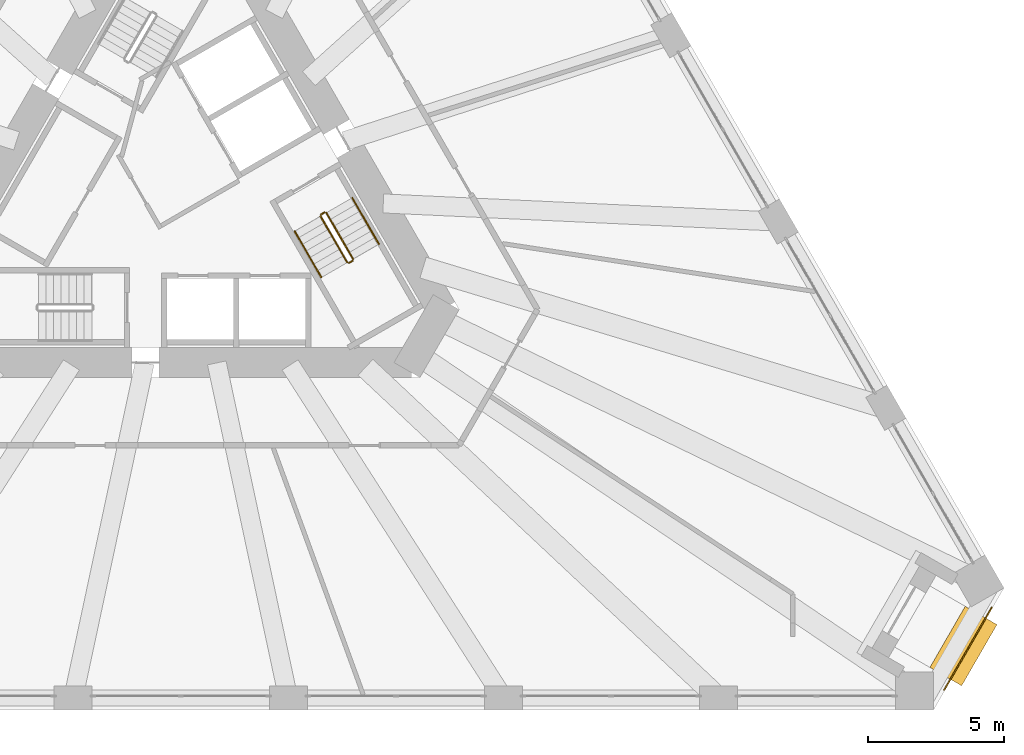
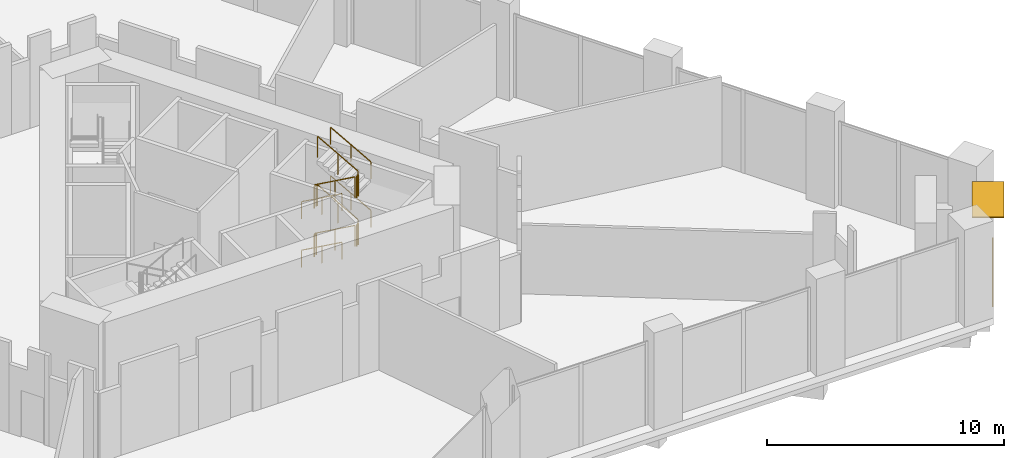
# One storey, part 19 of 20: 13 railings, 1 shading device.
"""IFC4 building model written with IfcOpenShell, lengths in metres."""

from ifc_helpers import new_model, si_unit, direction, frame, origin, origin_2d, place, context, subcontext, project, spatial, rectangle, circle, extrude, material, layer, layer_set, type_object, element, save


model = new_model("IFC4")

# Units and contexts
model_context = context("Model", 3, precision=1e-05, world=origin(), true_north=direction((0.0, 1.0)))
body_context = subcontext(model_context, "Body", "Model", "MODEL_VIEW")
ifc_project = project(units=[si_unit("LENGTHUNIT", "METRE"), si_unit("AREAUNIT", "SQUARE_METRE"), si_unit("VOLUMEUNIT", "CUBIC_METRE"), si_unit("PLANEANGLEUNIT", "RADIAN"), si_unit("MASSUNIT", "GRAM", prefix="KILO")], contexts=[model_context])

# Site, building, storey
site_placement = place(None, origin())
site = spatial("IfcSite", under=ifc_project, at=site_placement, CompositionType="ELEMENT")
building_placement = place(site_placement, origin())
building = spatial("IfcBuilding", under=site, at=building_placement, Name="Tramontana Tower", CompositionType="ELEMENT")
storey_placement = place(building_placement, frame((0.0, 0.0, 10.0)))
storey = spatial("IfcBuildingStorey", under=building, at=storey_placement, Name="L01", CompositionType="ELEMENT", Elevation=10.0)

# Railing
ifc_material_1 = material(Name="Laminated glass balustrade", Category="glass")
railing_type_1 = type_object("IfcRailingType", Name="GD1 Loggia glass balustrade 1100", PredefinedType="BALUSTRADE", material=ifc_material_1)
railing_1_placement = place(storey_placement, frame((29.86083984375, -15.219482421875, 0.0)))
element("IfcRailing", 1, at=railing_1_placement, inside=storey, type_object=railing_type_1, Name="Corner loggia balustrade L01 K02", PredefinedType="BALUSTRADE", context=body_context, shape_type="SweptSolid", body=[
    extrude(circle(Radius=0.02392578125, at=origin_2d()), frame((0.0, 0.0, 1.076171875), z_axis=(-0.500010275428, -0.866019471182, 0.0), x_axis=(0.866019471182, -0.500010275428, 0.0)), (0.0, 0.0, 1.0), 3.5),
    extrude(circle(Radius=0.02099609375, at=origin_2d()), origin(), (0.0, 0.0, 1.0), 1.052001953125),
    extrude(circle(Radius=0.02099609375, at=origin_2d()), frame((-0.583251953125, -1.01025390625, 0.0)), (0.0, 0.0, 1.0), 1.052001953125),
    extrude(circle(Radius=0.02099609375, at=origin_2d()), frame((-1.166748046875, -2.020751953125, 0.0)), (0.0, 0.0, 1.0), 1.052001953125),
    extrude(circle(Radius=0.02099609375, at=origin_2d()), frame((-1.75, -3.031005859375, 0.0)), (0.0, 0.0, 1.0), 1.052001953125),
])

# Shading device
ifc_material_2 = material(Name="Precast concrete 60 MPa", Category="concrete")
ifc_layer = layer(ifc_material_2, 0.070068359375)
ifc_layer_set = layer_set([ifc_layer], Name="SS2 Stone sunshade blade 70")
shading_device_type = type_object("IfcShadingDeviceType", Name="SS2 Stone sunshade blade 70", PredefinedType="USERDEFINED", material=ifc_layer_set)
shading_device_placement = place(storey_placement, frame((28.81689453125, -16.637451171875, 4.22998046875), z_axis=(0.0, 0.0, 1.0), x_axis=(-0.5, -0.866025403784, 0.0)))
element("IfcShadingDevice", 2, at=shading_device_placement, inside=storey, type_object=shading_device_type, Name="Corner sunshade L01 K02", ObjectType="SUNSHADE", PredefinedType="USERDEFINED", context=body_context, shape_type="SweptSolid", body=[
    extrude(rectangle(XDim=2.60009765625, YDim=1.35009765625, at=origin_2d()), origin(), (0.0, 0.0, 1.0), 0.070068359375),
])

# Railings
ifc_material_3 = material(Name="Painted steel", Category="steel")
railing_type_2 = type_object("IfcRailingType", Name="STAIR GUARD 1100", PredefinedType="GUARDRAIL", material=ifc_material_3)
railing_2_placement = place(storey_placement, frame((5.1474609375, -0.815673828125, 0.15625)))
element("IfcRailing", 3, at=railing_2_placement, inside=storey, type_object=railing_type_2, Name="L01 ST3 stair guard 1", PredefinedType="GUARDRAIL", context=body_context, shape_type="SweptSolid", body=[
    extrude(circle(Radius=0.02392578125, at=origin_2d()), frame((0.0, 0.0, 1.076171875), z_axis=(0.436632306331, -0.756220177781, 0.487322554151), x_axis=(0.866011328839, 0.500024377727, 0.0)), (0.0, 0.0, 1.0), 2.244384765625),
    extrude(circle(Radius=0.02099609375, at=origin_2d()), origin(), (0.0, 0.0, 1.0), 1.052001953125),
    extrude(circle(Radius=0.02099609375, at=origin_2d()), frame((0.489990234375, -0.8486328125, 0.546875)), (0.0, 0.0, 1.0), 1.052001953125),
    extrude(circle(Radius=0.02099609375, at=origin_2d()), frame((0.97998046875, -1.697265625, 1.09375)), (0.0, 0.0, 1.0), 1.052001953125),
])
railing_3_placement = place(storey_placement, frame((6.343994140625, -2.387939453125, 1.40625)))
element("IfcRailing", 4, at=railing_3_placement, inside=storey, type_object=railing_type_2, Name="L01 ST3 stair guard 2", PredefinedType="GUARDRAIL", context=body_context, shape_type="SweptSolid", body=[
    extrude(circle(Radius=0.02392578125, at=origin_2d()), frame((0.0, 0.0, 1.076171875), z_axis=(-0.436632306331, 0.756220177781, 0.487322554151), x_axis=(-0.866011328839, -0.500024377727, 0.0)), (0.0, 0.0, 1.0), 2.244384765625),
    extrude(circle(Radius=0.02099609375, at=origin_2d()), origin(), (0.0, 0.0, 1.0), 1.052001953125),
    extrude(circle(Radius=0.02099609375, at=origin_2d()), frame((-0.489990234375, 0.8486328125, 0.546875)), (0.0, 0.0, 1.0), 1.052001953125),
    extrude(circle(Radius=0.02099609375, at=origin_2d()), frame((-0.97998046875, 1.697265625, 1.09375)), (0.0, 0.0, 1.0), 1.052001953125),
])
railing_4_placement = place(storey_placement, frame((5.1474609375, -0.815673828125, 2.65625)))
element("IfcRailing", 5, at=railing_4_placement, inside=storey, type_object=railing_type_2, Name="L01 ST3 stair guard 3", PredefinedType="GUARDRAIL", context=body_context, shape_type="SweptSolid", body=[
    extrude(circle(Radius=0.02392578125, at=origin_2d()), frame((0.0, 0.0, 1.076171875), z_axis=(0.436632306331, -0.756220177781, 0.487322554151), x_axis=(0.866011328839, 0.500024377727, 0.0)), (0.0, 0.0, 1.0), 2.244384765625),
    extrude(circle(Radius=0.02099609375, at=origin_2d()), origin(), (0.0, 0.0, 1.0), 1.052001953125),
    extrude(circle(Radius=0.02099609375, at=origin_2d()), frame((0.489990234375, -0.8486328125, 0.546875)), (0.0, 0.0, 1.0), 1.052001953125),
    extrude(circle(Radius=0.02099609375, at=origin_2d()), frame((0.97998046875, -1.697265625, 1.09375)), (0.0, 0.0, 1.0), 1.052001953125),
])
railing_5_placement = place(storey_placement, frame((6.343994140625, -2.387939453125, 3.90625)))
element("IfcRailing", 6, at=railing_5_placement, inside=storey, type_object=railing_type_2, Name="L01 ST3 stair guard 4", PredefinedType="GUARDRAIL", context=body_context, shape_type="SweptSolid", body=[
    extrude(circle(Radius=0.02392578125, at=origin_2d()), frame((0.0, 0.0, 1.076171875), z_axis=(-0.436632306331, 0.756220177781, 0.487322554151), x_axis=(-0.866011328839, -0.500024377727, 0.0)), (0.0, 0.0, 1.0), 2.244384765625),
    extrude(circle(Radius=0.02099609375, at=origin_2d()), origin(), (0.0, 0.0, 1.0), 1.052001953125),
    extrude(circle(Radius=0.02099609375, at=origin_2d()), frame((-0.489990234375, 0.8486328125, 0.546875)), (0.0, 0.0, 1.0), 1.052001953125),
    extrude(circle(Radius=0.02099609375, at=origin_2d()), frame((-0.97998046875, 1.697265625, 1.09375)), (0.0, 0.0, 1.0), 1.052001953125),
])
for number, where, name in (
    (7, (6.19580078125, -2.53125, 1.25), "L01 ST3 stair guard 5"),
    (8, (5.165771484375, -0.747314453125, 2.5), "L01 ST3 stair guard 6"),
    (9, (6.19580078125, -2.53125, 3.75), "L01 ST3 stair guard 7"),
    (10, (5.165771484375, -0.747314453125, 0.0), "L01 ST3 stair guard 8"),
):
    element("IfcRailing", number, at=place(storey_placement, frame(where)), inside=storey, type_object=railing_type_2, Name=name, PredefinedType="GUARDRAIL", context=body_context, shape_type="SweptSolid", body=[
        extrude(circle(Radius=0.02392578125, at=origin_2d()), frame((0.0, 0.0, 1.076171875), z_axis=(0.866131372301, 0.499816412211, 0.0), x_axis=(-0.499816412211, 0.866131372301, 0.0)), (0.0, 0.0, 1.0), 0.14990234375),
        extrude(circle(Radius=0.02099609375, at=origin_2d()), origin(), (0.0, 0.0, 1.0), 1.052001953125),
        extrude(circle(Radius=0.02099609375, at=origin_2d()), frame((0.1298828125, 0.074951171875, 0.0)), (0.0, 0.0, 1.0), 1.052001953125),
    ])
ifc_material_4 = material(Name="Painted steel", Category="steel")
railing_type_3 = type_object("IfcRailingType", Name="STAIR HANDRAIL 900", PredefinedType="HANDRAIL", material=ifc_material_4)
railing_6_placement = place(storey_placement, frame((4.19482421875, -1.365478515625, 0.15625)))
element("IfcRailing", 11, at=railing_6_placement, inside=storey, type_object=railing_type_3, Name="L01 ST3 stair handrail 1", PredefinedType="HANDRAIL", context=body_context, shape_type="SweptSolid", body=[
    extrude(circle(Radius=0.02392578125, at=origin_2d()), frame((0.0, 0.0, 0.8759765625), z_axis=(0.436596390967, -0.756266742998, 0.487282469241), x_axis=(0.866042469362, 0.499970440388, 0.0)), (0.0, 0.0, 1.0), 2.24462890625),
    extrude(circle(Radius=0.02099609375, at=origin_2d()), origin(), (0.0, 0.0, 1.0), 0.851806640625),
    extrude(circle(Radius=0.02099609375, at=origin_2d()), frame((0.489990234375, -0.8486328125, 0.546875)), (0.0, 0.0, 1.0), 0.851806640625),
    extrude(circle(Radius=0.02099609375, at=origin_2d()), frame((0.97998046875, -1.697509765625, 1.09375)), (0.0, 0.0, 1.0), 0.851806640625),
])
railing_7_placement = place(storey_placement, frame((7.296630859375, -1.837890625, 1.40625)))
element("IfcRailing", 12, at=railing_7_placement, inside=storey, type_object=railing_type_3, Name="L01 ST3 stair handrail 2", PredefinedType="HANDRAIL", context=body_context, shape_type="SweptSolid", body=[
    extrude(circle(Radius=0.02392578125, at=origin_2d()), frame((0.0, 0.0, 0.8759765625), z_axis=(-0.436632306331, 0.756220177781, 0.487322554151), x_axis=(-0.866011328839, -0.500024377727, 0.0)), (0.0, 0.0, 1.0), 2.244384765625),
    extrude(circle(Radius=0.02099609375, at=origin_2d()), origin(), (0.0, 0.0, 1.0), 0.851806640625),
    extrude(circle(Radius=0.02099609375, at=origin_2d()), frame((-0.489990234375, 0.8486328125, 0.546875)), (0.0, 0.0, 1.0), 0.851806640625),
    extrude(circle(Radius=0.02099609375, at=origin_2d()), frame((-0.97998046875, 1.697265625, 1.09375)), (0.0, 0.0, 1.0), 0.851806640625),
])
railing_8_placement = place(storey_placement, frame((4.19482421875, -1.365478515625, 2.65625)))
element("IfcRailing", 13, at=railing_8_placement, inside=storey, type_object=railing_type_3, Name="L01 ST3 stair handrail 3", PredefinedType="HANDRAIL", context=body_context, shape_type="SweptSolid", body=[
    extrude(circle(Radius=0.02392578125, at=origin_2d()), frame((0.0, 0.0, 0.8759765625), z_axis=(0.436596390967, -0.756266742998, 0.487282469241), x_axis=(0.866042469362, 0.499970440388, 0.0)), (0.0, 0.0, 1.0), 2.24462890625),
    extrude(circle(Radius=0.02099609375, at=origin_2d()), origin(), (0.0, 0.0, 1.0), 0.851806640625),
    extrude(circle(Radius=0.02099609375, at=origin_2d()), frame((0.489990234375, -0.8486328125, 0.546875)), (0.0, 0.0, 1.0), 0.851806640625),
    extrude(circle(Radius=0.02099609375, at=origin_2d()), frame((0.97998046875, -1.697509765625, 1.09375)), (0.0, 0.0, 1.0), 0.851806640625),
])
railing_9_placement = place(storey_placement, frame((7.296630859375, -1.837890625, 3.90625)))
element("IfcRailing", 14, at=railing_9_placement, inside=storey, type_object=railing_type_3, Name="L01 ST3 stair handrail 4", PredefinedType="HANDRAIL", context=body_context, shape_type="SweptSolid", body=[
    extrude(circle(Radius=0.02392578125, at=origin_2d()), frame((0.0, 0.0, 0.8759765625), z_axis=(-0.436632306331, 0.756220177781, 0.487322554151), x_axis=(-0.866011328839, -0.500024377727, 0.0)), (0.0, 0.0, 1.0), 2.244384765625),
    extrude(circle(Radius=0.02099609375, at=origin_2d()), origin(), (0.0, 0.0, 1.0), 0.851806640625),
    extrude(circle(Radius=0.02099609375, at=origin_2d()), frame((-0.489990234375, 0.8486328125, 0.546875)), (0.0, 0.0, 1.0), 0.851806640625),
    extrude(circle(Radius=0.02099609375, at=origin_2d()), frame((-0.97998046875, 1.697265625, 1.09375)), (0.0, 0.0, 1.0), 0.851806640625),
])

save(model, "model.ifc")
